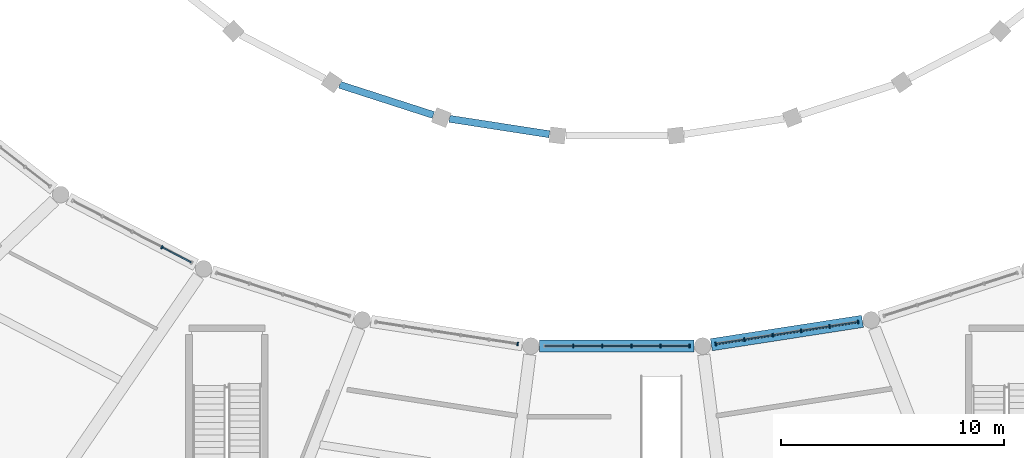
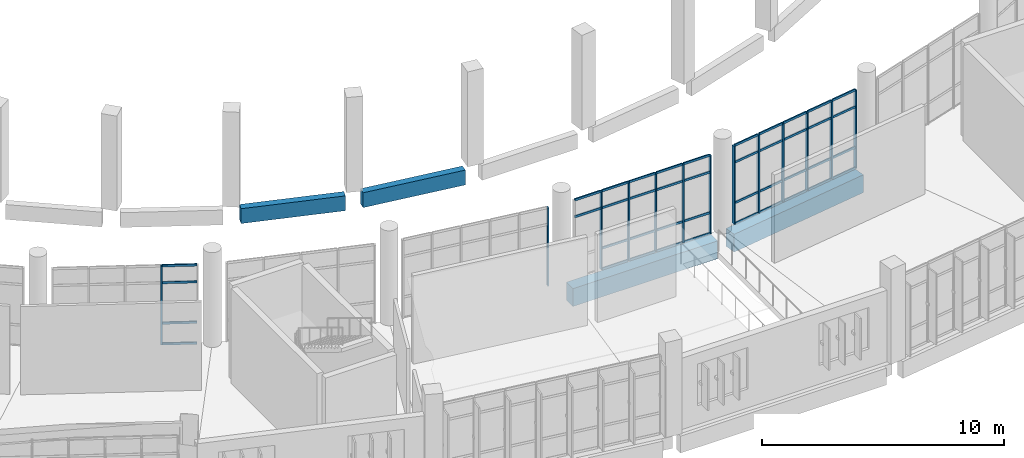
# One storey, part 15 of 179: 55 members, 4 beams, 4 elements without a shape of their own.
"""IFC4 building model written with IfcOpenShell, lengths in metres."""

import ifcopenshell
import ifcopenshell.guid

model = None  # the IFC model being written
_history = None  # IfcOwnerHistory: only IFC2X3 demands one
_inside = {}  # id of a spatial element -> (the spatial element, [elements in it])
_under = {}  # id of a project, library or spatial element -> (it, [spatial elements below it])
_declared = {}  # id of a project -> (the project, [libraries it declares])
_typed = {}  # id of a type object -> (the type object, [elements of that type])
_made_of = {}  # id of a material, layer set ... -> (it, [elements and type objects made of it])


def new_model(schema):
    """Start an empty IFC model of exactly this schema.

    Asked for "IFC4X3", IfcOpenShell would pick the latest addendum, in which some entities
    have other attributes; the version numbers below select the first issue.
    IFC2X3 requires an IfcOwnerHistory on every rooted entity: one is made here for all.
    """
    global model, _history
    if schema == "IFC4X3":
        model = ifcopenshell.file(schema_version=(4, 3, 0, 0))
    else:
        model = ifcopenshell.file(schema=schema)
    _inside.clear()
    _under.clear()
    _declared.clear()
    _typed.clear()
    _made_of.clear()
    _history = None
    if model.schema == "IFC2X3":
        org = make("IfcOrganization", Name="unknown")
        user = make(
            "IfcPersonAndOrganization",
            ThePerson=make("IfcPerson", FamilyName="unknown"),
            TheOrganization=org,
        )
        app = make(
            "IfcApplication",
            ApplicationDeveloper=org,
            Version="unknown",
            ApplicationFullName="unknown",
            ApplicationIdentifier="unknown",
        )
        _history = make(
            "IfcOwnerHistory",
            OwningUser=user,
            OwningApplication=app,
            ChangeAction="ADDED",
            CreationDate=0,
        )
    return model


def make(cls, **values):
    """One entity of the class cls with the attributes given. An attribute that is None is left unset."""
    return model.create_entity(
        cls, **{name: value for name, value in values.items() if value is not None}
    )


def rooted(cls, **values):
    """An entity with a GlobalId (a new one), such as an element, a storey or a relation."""
    return make(cls, GlobalId=ifcopenshell.guid.new(), OwnerHistory=_history, **values)


def si_unit(unit_type, name, prefix=None):
    """IfcSIUnit, for example si_unit("LENGTHUNIT", "METRE", prefix="MILLI")."""
    return make("IfcSIUnit", UnitType=unit_type, Prefix=prefix, Name=name)


def assignment(units):
    """IfcUnitAssignment: the units of a project."""
    return None if units is None else make("IfcUnitAssignment", Units=units)


def point(xyz):
    """IfcCartesianPoint."""
    return None if xyz is None else make("IfcCartesianPoint", Coordinates=xyz)


def direction(xyz):
    """IfcDirection."""
    return None if xyz is None else make("IfcDirection", DirectionRatios=xyz)


def frame(location, z_axis=None, x_axis=None):
    """IfcAxis2Placement3D, a coordinate frame: its origin and axes. An axis left out is left unset."""
    return make(
        "IfcAxis2Placement3D",
        Location=point(location),
        Axis=direction(z_axis),
        RefDirection=direction(x_axis),
    )


def frame_2d(location, x_axis=None):
    """IfcAxis2Placement2D, a coordinate frame in the plane: its origin and x axis."""
    return make(
        "IfcAxis2Placement2D", Location=point(location), RefDirection=direction(x_axis)
    )


def origin():
    """The frame at (0, 0, 0) with its axes left unset."""
    return frame((0.0, 0.0, 0.0))


def origin_2d():
    """The frame at (0, 0) in the plane with its x axis left unset."""
    return frame_2d((0.0, 0.0))


def place(relative_to, where):
    """IfcLocalPlacement: puts the frame where relative to a parent placement (None: the world)."""
    return make(
        "IfcLocalPlacement", PlacementRelTo=relative_to, RelativePlacement=where
    )


def context(
    kind, dimensions, precision=None, world=None, true_north=None, identifier=None
):
    """IfcGeometricRepresentationContext, for example the 3D "Model" context."""
    return make(
        "IfcGeometricRepresentationContext",
        ContextIdentifier=identifier,
        ContextType=kind,
        CoordinateSpaceDimension=dimensions,
        Precision=precision,
        WorldCoordinateSystem=world,
        TrueNorth=true_north,
    )


def subcontext(parent, identifier, kind, view, scale=None):
    """IfcGeometricRepresentationSubContext, for example "Body" below "Model"."""
    return make(
        "IfcGeometricRepresentationSubContext",
        ContextIdentifier=identifier,
        ContextType=kind,
        ParentContext=parent,
        TargetScale=scale,
        TargetView=view,
    )


def project(units=None, contexts=None):
    """IfcProject with its units and contexts."""
    return rooted(
        "IfcProject",
        Name="project",
        RepresentationContexts=contexts,
        UnitsInContext=assignment(units),
    )


def spatial(cls, under=None, at=None, **own):
    """A site, building, storey or space (cls), placed at a placement, below another one or the project."""
    s = rooted(cls, ObjectPlacement=at, **own)
    if under is not None:
        _under.setdefault(under.id(), (under, []))[1].append(s)
    return s


def profile(cls, at=None, kind="AREA", **sizes):
    """A parametric profile (cls). Its sizes go by their IFC names, for example OverallWidth=200.0."""
    return make(cls, ProfileType=kind, Position=at, **sizes)


def rectangle(**sizes):
    """IfcRectangleProfileDef."""
    return profile("IfcRectangleProfileDef", **sizes)


def extrude(swept, where, along, depth):
    """IfcExtrudedAreaSolid: the profile swept, set in the frame where, extruded along a direction by depth."""
    return make(
        "IfcExtrudedAreaSolid",
        SweptArea=swept,
        Position=where,
        ExtrudedDirection=direction(along),
        Depth=depth,
    )


def shape(context_of_items, identifier, shape_type, items):
    """IfcShapeRepresentation: the items that make up one representation, for example the "Body"."""
    return make(
        "IfcShapeRepresentation",
        ContextOfItems=context_of_items,
        RepresentationIdentifier=identifier,
        RepresentationType=shape_type,
        Items=items,
    )


def material(Name=None, Category=None):
    """IfcMaterial."""
    return make("IfcMaterial", Name=Name, Category=Category)


def layer(
    of_material, thickness, ventilated=None, Name=None, Category=None, Priority=None
):
    """IfcMaterialLayer: one layer of a wall or slab, of a material (None: an air gap)."""
    return make(
        "IfcMaterialLayer",
        Material=of_material,
        LayerThickness=thickness,
        IsVentilated=ventilated,
        Name=Name,
        Category=Category,
        Priority=Priority,
    )


def layer_set(layers, Name=None):
    """IfcMaterialLayerSet."""
    return make("IfcMaterialLayerSet", MaterialLayers=layers, LayerSetName=Name)


def material_profile(
    of_material, cross_section, Name=None, Category=None, Priority=None
):
    """IfcMaterialProfile: a cross section and its material."""
    return make(
        "IfcMaterialProfile",
        Name=Name,
        Material=of_material,
        Profile=cross_section,
        Priority=Priority,
        Category=Category,
    )


def profile_set(profiles, Name=None, composite=None):
    """IfcMaterialProfileSet."""
    return make(
        "IfcMaterialProfileSet",
        Name=Name,
        MaterialProfiles=profiles,
        CompositeProfile=composite,
    )


def made_of(thing, what):
    """Note that an element or type object is made of a material, layer set ...; save() writes the relation."""
    if what is not None:
        _made_of.setdefault(what.id(), (what, []))[1].append(thing)
    return thing


def type_object(cls, material=None, **own):
    """A type object (cls), such as IfcWallType, which elements share."""
    return made_of(rooted(cls, **own), material)


def element(
    cls,
    number,
    at=None,
    inside=None,
    cuts=None,
    type_object=None,
    material=None,
    context=None,
    identifier="Body",
    shape_type=None,
    held_by="IfcProductDefinitionShape",
    body=None,
    shapes=None,
    **own,
):
    """One element of the class cls, such as IfcWall. Its Tag is "e" and its number.

    at: its placement. inside: the storey or other place that contains it. cuts: it is an
    opening in that element (IfcRelVoidsElement). A single representation is given by context,
    identifier, shape_type and body (its items); several are given by shapes. held_by: the class
    of the entity that holds the representations. save() writes the other relations.
    """
    e = rooted(cls, Tag="e%d" % number, ObjectPlacement=at, **own)
    if body is not None:
        shapes = [shape(context, identifier, shape_type, body)]
    if shapes is not None:
        e.Representation = make(held_by, Representations=shapes)
    if inside is not None:
        _inside.setdefault(inside.id(), (inside, []))[1].append(e)
    if cuts is not None:
        rooted(
            "IfcRelVoidsElement", RelatingBuildingElement=cuts, RelatedOpeningElement=e
        )
    if type_object is not None:
        _typed.setdefault(type_object.id(), (type_object, []))[1].append(e)
    return made_of(e, material)


def aggregate(whole, parts):
    """IfcRelAggregates: a whole, such as a stair, and the parts it consists of."""
    return rooted("IfcRelAggregates", RelatingObject=whole, RelatedObjects=parts)


def save(model, path):
    """Write the relations noted so far, then the file.

    IfcRelAggregates (storeys below a building ...), IfcRelContainedInSpatialStructure (elements
    in a storey), IfcRelDefinesByType, IfcRelAssociatesMaterial and IfcRelDeclares: one each for
    every whole, place, type object, material and project.
    """
    for whole, parts in _under.values():
        aggregate(whole, parts)
    for where, things in _inside.values():
        rooted(
            "IfcRelContainedInSpatialStructure",
            RelatedElements=things,
            RelatingStructure=where,
        )
    for kind, things in _typed.values():
        rooted("IfcRelDefinesByType", RelatedObjects=things, RelatingType=kind)
    for what, things in _made_of.values():
        rooted("IfcRelAssociatesMaterial", RelatedObjects=things, RelatingMaterial=what)
    for by, libraries in _declared.values():
        rooted("IfcRelDeclares", RelatingContext=by, RelatedDefinitions=libraries)
    model.write(path)


model = new_model("IFC4")

# Units and contexts
model_context = context("Model", 3, precision=1e-05, world=origin(), true_north=direction((0.0, 1.0)))
body_context = subcontext(model_context, "Body", "Model", "MODEL_VIEW")
ifc_project = project(units=[si_unit("LENGTHUNIT", "METRE"), si_unit("AREAUNIT", "SQUARE_METRE"), si_unit("VOLUMEUNIT", "CUBIC_METRE"), si_unit("PLANEANGLEUNIT", "RADIAN"), si_unit("MASSUNIT", "GRAM", prefix="KILO")], contexts=[model_context])

# Site, building, storey
site_placement = place(None, origin())
site = spatial("IfcSite", under=ifc_project, at=site_placement, CompositionType="ELEMENT")
building_placement = place(site_placement, origin())
building = spatial("IfcBuilding", under=site, at=building_placement, Name="Corvandel Quay Wholesale Market", CompositionType="ELEMENT")
storey_placement = place(building_placement, frame((0.0, 0.0, 6.0)))
storey = spatial("IfcBuildingStorey", under=building, at=storey_placement, Name="L01", CompositionType="ELEMENT", Elevation=6.0)

# Curtain wall, member
ifc_material_1 = material(Name="Bronze anodised aluminium and low-E insulated glazing", Category="aluminium")
ifc_layer_1 = layer(ifc_material_1, 0.162109375)
ifc_layer_set_1 = layer_set([ifc_layer_1], Name="Bronze anodised aluminium and low-E insulated glazing")
curtain_wall_type_1 = type_object("IfcCurtainWallType", Name="Stick Curtain Wall System CW11 H3990", PredefinedType="NOTDEFINED", material=ifc_layer_set_1)
curtain_wall_1_placement = place(storey_placement, origin())
curtain_wall_1 = element("IfcCurtainWall", 1, at=curtain_wall_1_placement, inside=storey, type_object=curtain_wall_type_1, Name="Curtain Wall CW-0061", PredefinedType="NOTDEFINED")
ifc_material_2 = material(Name="Anodised aluminium 6063-T6", Category="aluminium")
ifc_material_profile_1 = material_profile(ifc_material_2, rectangle(XDim=0.06494140625, YDim=0.14990234375, at=origin_2d()), Name="ALU-MUL-65x150")
ifc_profile_set_1 = profile_set([ifc_material_profile_1], Name="Anodised aluminium 6063-T6")
member_type_1 = type_object("IfcMemberType", Name="Curtain Wall Mullion ML02 65x150", PredefinedType="MULLION", material=ifc_profile_set_1)
member_1_placement = place(storey_placement, frame((93.58642578125, 15.9873046875, 0.0), z_axis=(0.0, 0.0, 1.0), x_axis=(-0.887332978338, 0.461129250378, 0.0)))
member_1 = element("IfcMember", 2, at=member_1_placement, type_object=member_type_1, Name="Mullion CW-0061-M03", PredefinedType="MULLION", context=body_context, shape_type="SweptSolid", body=[
    extrude(rectangle(XDim=0.06494140625, YDim=0.14990234375, at=origin_2d()), origin(), (0.0, 0.0, 1.0), 3.949951171875),
])

ifc_layer_2 = layer(ifc_material_1, 0.18603515625)
ifc_layer_set_2 = layer_set([ifc_layer_2], Name="Bronze anodised aluminium and low-E insulated glazing")
curtain_wall_type_2 = type_object("IfcCurtainWallType", Name="Stick Curtain Wall System CW13 H4170", PredefinedType="NOTDEFINED", material=ifc_layer_set_2)
curtain_wall_2_placement = place(storey_placement, origin())
curtain_wall_2 = element("IfcCurtainWall", 3, at=curtain_wall_2_placement, inside=storey, type_object=curtain_wall_type_2, Name="Curtain Wall CW-0067", PredefinedType="NOTDEFINED")
member_2_placement = place(storey_placement, frame((109.551025390625, 11.6416015625, 0.0), z_axis=(0.0, 0.0, 1.0), x_axis=(-0.98825506746, 0.152813355565, 0.0)))
member_2 = element("IfcMember", 4, at=member_2_placement, type_object=member_type_1, Name="Mullion CW-0067-M05", PredefinedType="MULLION", context=body_context, shape_type="SweptSolid", body=[
    extrude(rectangle(XDim=0.06494140625, YDim=0.14990234375, at=origin_2d()), origin(), (0.0, 0.0, 1.0), 3.949951171875),
])
aggregate(curtain_wall_2, [member_2])

# Curtain wall, members
ifc_layer_3 = layer(ifc_material_1, 0.197998046875)
ifc_layer_set_3 = layer_set([ifc_layer_3], Name="Bronze anodised aluminium and low-E insulated glazing")
curtain_wall_type_3 = type_object("IfcCurtainWallType", Name="Stick Curtain Wall System CW14 H4260", PredefinedType="NOTDEFINED", material=ifc_layer_set_3)
curtain_wall_3_placement = place(storey_placement, origin())
curtain_wall_3 = element("IfcCurtainWall", 5, at=curtain_wall_3_placement, inside=storey, type_object=curtain_wall_type_3, Name="Curtain Wall CW-0069", PredefinedType="NOTDEFINED")
member_3_placement = place(storey_placement, frame((112.04638671875, 11.550048828125, 0.0), z_axis=(0.0, 0.0, 1.0), x_axis=(1.0, 0.0, 0.0)))
member_3 = element("IfcMember", 6, at=member_3_placement, type_object=member_type_1, Name="Mullion CW-0069-M01", PredefinedType="MULLION", context=body_context, shape_type="SweptSolid", body=[
    extrude(rectangle(XDim=0.06494140625, YDim=0.14990234375, at=origin_2d()), origin(), (0.0, 0.0, 1.0), 3.949951171875),
])
member_4_placement = place(storey_placement, frame((113.348876953125, 11.550048828125, 0.0), z_axis=(0.0, 0.0, 1.0), x_axis=(1.0, 0.0, 0.0)))
member_4 = element("IfcMember", 7, at=member_4_placement, type_object=member_type_1, Name="Mullion CW-0069-M02", PredefinedType="MULLION", context=body_context, shape_type="SweptSolid", body=[
    extrude(rectangle(XDim=0.06494140625, YDim=0.14990234375, at=origin_2d()), origin(), (0.0, 0.0, 1.0), 3.949951171875),
])
member_5_placement = place(storey_placement, frame((114.651123046875, 11.550048828125, 0.0), z_axis=(0.0, 0.0, 1.0), x_axis=(1.0, 0.0, 0.0)))
member_5 = element("IfcMember", 8, at=member_5_placement, type_object=member_type_1, Name="Mullion CW-0069-M03", PredefinedType="MULLION", context=body_context, shape_type="SweptSolid", body=[
    extrude(rectangle(XDim=0.06494140625, YDim=0.14990234375, at=origin_2d()), origin(), (0.0, 0.0, 1.0), 3.949951171875),
])
member_6_placement = place(storey_placement, frame((115.95361328125, 11.550048828125, 0.0), z_axis=(0.0, 0.0, 1.0), x_axis=(1.0, 0.0, 0.0)))
member_6 = element("IfcMember", 9, at=member_6_placement, type_object=member_type_1, Name="Mullion CW-0069-M04", PredefinedType="MULLION", context=body_context, shape_type="SweptSolid", body=[
    extrude(rectangle(XDim=0.06494140625, YDim=0.14990234375, at=origin_2d()), origin(), (0.0, 0.0, 1.0), 3.949951171875),
])
member_7_placement = place(storey_placement, frame((117.256103515625, 11.550048828125, 0.0), z_axis=(0.0, 0.0, 1.0), x_axis=(1.0, 0.0, 0.0)))
member_7 = element("IfcMember", 10, at=member_7_placement, type_object=member_type_1, Name="Mullion CW-0069-M05", PredefinedType="MULLION", context=body_context, shape_type="SweptSolid", body=[
    extrude(rectangle(XDim=0.06494140625, YDim=0.14990234375, at=origin_2d()), origin(), (0.0, 0.0, 1.0), 3.949951171875),
])

ifc_layer_4 = layer(ifc_material_1, 0.14990234375)
ifc_layer_set_4 = layer_set([ifc_layer_4], Name="Bronze anodised aluminium and low-E insulated glazing")
curtain_wall_type_4 = type_object("IfcCurtainWallType", Name="Stick Curtain Wall System CW15 H4350", PredefinedType="NOTDEFINED", material=ifc_layer_set_4)
curtain_wall_4_placement = place(storey_placement, origin())
curtain_wall_4 = element("IfcCurtainWall", 11, at=curtain_wall_4_placement, inside=storey, type_object=curtain_wall_type_4, Name="Curtain Wall CW-0073", PredefinedType="NOTDEFINED")
member_8_placement = place(storey_placement, frame((118.448974609375, 11.6416015625, 0.0), z_axis=(0.0, 0.0, 1.0), x_axis=(0.98825506746, 0.152813355565, 0.0)))
member_8 = element("IfcMember", 12, at=member_8_placement, type_object=member_type_1, Name="Mullion CW-0073-M00", PredefinedType="MULLION", context=body_context, shape_type="SweptSolid", body=[
    extrude(rectangle(XDim=0.06494140625, YDim=0.14990234375, at=origin_2d()), origin(), (0.0, 0.0, 1.0), 3.949951171875),
])
member_9_placement = place(storey_placement, frame((119.724609375, 11.839111328125, 0.0), z_axis=(0.0, 0.0, 1.0), x_axis=(0.98825506746, 0.152813355565, 0.0)))
member_9 = element("IfcMember", 13, at=member_9_placement, type_object=member_type_1, Name="Mullion CW-0073-M01", PredefinedType="MULLION", context=body_context, shape_type="SweptSolid", body=[
    extrude(rectangle(XDim=0.06494140625, YDim=0.14990234375, at=origin_2d()), origin(), (0.0, 0.0, 1.0), 3.949951171875),
])
member_10_placement = place(storey_placement, frame((121.000244140625, 12.036376953125, 0.0), z_axis=(0.0, 0.0, 1.0), x_axis=(0.98825506746, 0.152813355565, 0.0)))
member_10 = element("IfcMember", 14, at=member_10_placement, type_object=member_type_1, Name="Mullion CW-0073-M02", PredefinedType="MULLION", context=body_context, shape_type="SweptSolid", body=[
    extrude(rectangle(XDim=0.06494140625, YDim=0.14990234375, at=origin_2d()), origin(), (0.0, 0.0, 1.0), 3.949951171875),
])
member_11_placement = place(storey_placement, frame((122.27587890625, 12.233642578125, 0.0), z_axis=(0.0, 0.0, 1.0), x_axis=(0.98825506746, 0.152813355565, 0.0)))
member_11 = element("IfcMember", 15, at=member_11_placement, type_object=member_type_1, Name="Mullion CW-0073-M03", PredefinedType="MULLION", context=body_context, shape_type="SweptSolid", body=[
    extrude(rectangle(XDim=0.06494140625, YDim=0.14990234375, at=origin_2d()), origin(), (0.0, 0.0, 1.0), 3.949951171875),
])
member_12_placement = place(storey_placement, frame((123.551513671875, 12.430908203125, 0.0), z_axis=(0.0, 0.0, 1.0), x_axis=(0.98825506746, 0.152813355565, 0.0)))
member_12 = element("IfcMember", 16, at=member_12_placement, type_object=member_type_1, Name="Mullion CW-0073-M04", PredefinedType="MULLION", context=body_context, shape_type="SweptSolid", body=[
    extrude(rectangle(XDim=0.06494140625, YDim=0.14990234375, at=origin_2d()), origin(), (0.0, 0.0, 1.0), 3.949951171875),
])
member_13_placement = place(storey_placement, frame((124.826904296875, 12.62841796875, 0.0), z_axis=(0.0, 0.0, 1.0), x_axis=(0.98825506746, 0.152813355565, 0.0)))
member_13 = element("IfcMember", 17, at=member_13_placement, type_object=member_type_1, Name="Mullion CW-0073-M05", PredefinedType="MULLION", context=body_context, shape_type="SweptSolid", body=[
    extrude(rectangle(XDim=0.06494140625, YDim=0.14990234375, at=origin_2d()), origin(), (0.0, 0.0, 1.0), 3.949951171875),
])

# Member
ifc_material_profile_2 = material_profile(ifc_material_2, rectangle(XDim=0.06005859375, YDim=0.110107421875, at=origin_2d()), Name="ALU-TRN-60x110")
ifc_profile_set_2 = profile_set([ifc_material_profile_2], Name="Anodised aluminium 6063-T6")
member_type_2 = type_object("IfcMemberType", Name="Curtain Wall Transom TR02 60x110", PredefinedType="USERDEFINED", material=ifc_profile_set_2)
member_14_placement = place(storey_placement, frame((93.615478515625, 15.972412109375, 0.0), z_axis=(0.887341534399, -0.46111278591, 0.0), x_axis=(0.46111278591, 0.887341534399, 0.0)))
member_14 = element("IfcMember", 18, at=member_14_placement, type_object=member_type_2, Name="Transom CW-0061-T03-0", ObjectType="TRANSOM", PredefinedType="USERDEFINED", context=body_context, shape_type="SweptSolid", body=[
    extrude(rectangle(XDim=0.06005859375, YDim=0.110107421875, at=origin_2d()), origin(), (0.0, 0.0, 1.0), 1.441650390625),
])

member_15_placement = place(storey_placement, frame((93.615478515625, 15.972412109375, 1.050048828125), z_axis=(0.887341534399, -0.46111278591, 0.0), x_axis=(0.46111278591, 0.887341534399, 0.0)))
member_15 = element("IfcMember", 19, at=member_15_placement, type_object=member_type_2, Name="Transom CW-0061-T03-1", ObjectType="TRANSOM", PredefinedType="USERDEFINED", context=body_context, shape_type="SweptSolid", body=[
    extrude(rectangle(XDim=0.06005859375, YDim=0.110107421875, at=origin_2d()), origin(), (0.0, 0.0, 1.0), 1.441650390625),
])

member_16_placement = place(storey_placement, frame((93.615478515625, 15.972412109375, 3.10009765625), z_axis=(0.887341534399, -0.46111278591, 0.0), x_axis=(0.46111278591, 0.887341534399, 0.0)))
member_16 = element("IfcMember", 20, at=member_16_placement, type_object=member_type_2, Name="Transom CW-0061-T03-2", ObjectType="TRANSOM", PredefinedType="USERDEFINED", context=body_context, shape_type="SweptSolid", body=[
    extrude(rectangle(XDim=0.06005859375, YDim=0.110107421875, at=origin_2d()), origin(), (0.0, 0.0, 1.0), 1.441650390625),
])

member_17_placement = place(storey_placement, frame((93.615478515625, 15.972412109375, 3.949951171875), z_axis=(0.887341534399, -0.46111278591, 0.0), x_axis=(0.46111278591, 0.887341534399, 0.0)))
member_17 = element("IfcMember", 21, at=member_17_placement, type_object=member_type_2, Name="Transom CW-0061-T03-3", ObjectType="TRANSOM", PredefinedType="USERDEFINED", context=body_context, shape_type="SweptSolid", body=[
    extrude(rectangle(XDim=0.06005859375, YDim=0.110107421875, at=origin_2d()), origin(), (0.0, 0.0, 1.0), 1.441650390625),
])

aggregate(curtain_wall_1, [member_1, member_14, member_15, member_16, member_17])

member_18_placement = place(storey_placement, frame((110.776611328125, 11.550048828125, 3.10009765625), z_axis=(1.0, 0.0, 0.0), x_axis=(0.0, 1.0, 0.0)))
member_18 = element("IfcMember", 22, at=member_18_placement, type_object=member_type_2, Name="Transom CW-0069-T00-2", ObjectType="TRANSOM", PredefinedType="USERDEFINED", context=body_context, shape_type="SweptSolid", body=[
    extrude(rectangle(XDim=0.06005859375, YDim=0.110107421875, at=origin_2d()), origin(), (0.0, 0.0, 1.0), 1.2373046875),
])

member_19_placement = place(storey_placement, frame((110.776611328125, 11.550048828125, 3.949951171875), z_axis=(1.0, 0.0, 0.0), x_axis=(0.0, 1.0, 0.0)))
member_19 = element("IfcMember", 23, at=member_19_placement, type_object=member_type_2, Name="Transom CW-0069-T00-3", ObjectType="TRANSOM", PredefinedType="USERDEFINED", context=body_context, shape_type="SweptSolid", body=[
    extrude(rectangle(XDim=0.06005859375, YDim=0.110107421875, at=origin_2d()), origin(), (0.0, 0.0, 1.0), 1.2373046875),
])

member_20_placement = place(storey_placement, frame((112.078857421875, 11.550048828125, 0.0), z_axis=(1.0, 0.0, 0.0), x_axis=(0.0, 1.0, 0.0)))
member_20 = element("IfcMember", 24, at=member_20_placement, type_object=member_type_2, Name="Transom CW-0069-T01-0", ObjectType="TRANSOM", PredefinedType="USERDEFINED", context=body_context, shape_type="SweptSolid", body=[
    extrude(rectangle(XDim=0.06005859375, YDim=0.110107421875, at=origin_2d()), origin(), (0.0, 0.0, 1.0), 1.237548828125),
])

member_21_placement = place(storey_placement, frame((112.078857421875, 11.550048828125, 1.050048828125), z_axis=(1.0, 0.0, 0.0), x_axis=(0.0, 1.0, 0.0)))
member_21 = element("IfcMember", 25, at=member_21_placement, type_object=member_type_2, Name="Transom CW-0069-T01-1", ObjectType="TRANSOM", PredefinedType="USERDEFINED", context=body_context, shape_type="SweptSolid", body=[
    extrude(rectangle(XDim=0.06005859375, YDim=0.110107421875, at=origin_2d()), origin(), (0.0, 0.0, 1.0), 1.237548828125),
])

member_22_placement = place(storey_placement, frame((112.078857421875, 11.550048828125, 3.10009765625), z_axis=(1.0, 0.0, 0.0), x_axis=(0.0, 1.0, 0.0)))
member_22 = element("IfcMember", 26, at=member_22_placement, type_object=member_type_2, Name="Transom CW-0069-T01-2", ObjectType="TRANSOM", PredefinedType="USERDEFINED", context=body_context, shape_type="SweptSolid", body=[
    extrude(rectangle(XDim=0.06005859375, YDim=0.110107421875, at=origin_2d()), origin(), (0.0, 0.0, 1.0), 1.237548828125),
])

member_23_placement = place(storey_placement, frame((112.078857421875, 11.550048828125, 3.949951171875), z_axis=(1.0, 0.0, 0.0), x_axis=(0.0, 1.0, 0.0)))
member_23 = element("IfcMember", 27, at=member_23_placement, type_object=member_type_2, Name="Transom CW-0069-T01-3", ObjectType="TRANSOM", PredefinedType="USERDEFINED", context=body_context, shape_type="SweptSolid", body=[
    extrude(rectangle(XDim=0.06005859375, YDim=0.110107421875, at=origin_2d()), origin(), (0.0, 0.0, 1.0), 1.237548828125),
])

member_24_placement = place(storey_placement, frame((113.38134765625, 11.550048828125, 0.0), z_axis=(1.0, 0.0, 0.0), x_axis=(0.0, 1.0, 0.0)))
member_24 = element("IfcMember", 28, at=member_24_placement, type_object=member_type_2, Name="Transom CW-0069-T02-0", ObjectType="TRANSOM", PredefinedType="USERDEFINED", context=body_context, shape_type="SweptSolid", body=[
    extrude(rectangle(XDim=0.06005859375, YDim=0.110107421875, at=origin_2d()), origin(), (0.0, 0.0, 1.0), 1.2373046875),
])

member_25_placement = place(storey_placement, frame((113.38134765625, 11.550048828125, 1.050048828125), z_axis=(1.0, 0.0, 0.0), x_axis=(0.0, 1.0, 0.0)))
member_25 = element("IfcMember", 29, at=member_25_placement, type_object=member_type_2, Name="Transom CW-0069-T02-1", ObjectType="TRANSOM", PredefinedType="USERDEFINED", context=body_context, shape_type="SweptSolid", body=[
    extrude(rectangle(XDim=0.06005859375, YDim=0.110107421875, at=origin_2d()), origin(), (0.0, 0.0, 1.0), 1.2373046875),
])

member_26_placement = place(storey_placement, frame((113.38134765625, 11.550048828125, 3.10009765625), z_axis=(1.0, 0.0, 0.0), x_axis=(0.0, 1.0, 0.0)))
member_26 = element("IfcMember", 30, at=member_26_placement, type_object=member_type_2, Name="Transom CW-0069-T02-2", ObjectType="TRANSOM", PredefinedType="USERDEFINED", context=body_context, shape_type="SweptSolid", body=[
    extrude(rectangle(XDim=0.06005859375, YDim=0.110107421875, at=origin_2d()), origin(), (0.0, 0.0, 1.0), 1.2373046875),
])

member_27_placement = place(storey_placement, frame((113.38134765625, 11.550048828125, 3.949951171875), z_axis=(1.0, 0.0, 0.0), x_axis=(0.0, 1.0, 0.0)))
member_27 = element("IfcMember", 31, at=member_27_placement, type_object=member_type_2, Name="Transom CW-0069-T02-3", ObjectType="TRANSOM", PredefinedType="USERDEFINED", context=body_context, shape_type="SweptSolid", body=[
    extrude(rectangle(XDim=0.06005859375, YDim=0.110107421875, at=origin_2d()), origin(), (0.0, 0.0, 1.0), 1.2373046875),
])

member_28_placement = place(storey_placement, frame((114.68359375, 11.550048828125, 0.0), z_axis=(1.0, 0.0, 0.0), x_axis=(0.0, 1.0, 0.0)))
member_28 = element("IfcMember", 32, at=member_28_placement, type_object=member_type_2, Name="Transom CW-0069-T03-0", ObjectType="TRANSOM", PredefinedType="USERDEFINED", context=body_context, shape_type="SweptSolid", body=[
    extrude(rectangle(XDim=0.06005859375, YDim=0.110107421875, at=origin_2d()), origin(), (0.0, 0.0, 1.0), 1.237548828125),
])

member_29_placement = place(storey_placement, frame((114.68359375, 11.550048828125, 1.050048828125), z_axis=(1.0, 0.0, 0.0), x_axis=(0.0, 1.0, 0.0)))
member_29 = element("IfcMember", 33, at=member_29_placement, type_object=member_type_2, Name="Transom CW-0069-T03-1", ObjectType="TRANSOM", PredefinedType="USERDEFINED", context=body_context, shape_type="SweptSolid", body=[
    extrude(rectangle(XDim=0.06005859375, YDim=0.110107421875, at=origin_2d()), origin(), (0.0, 0.0, 1.0), 1.237548828125),
])

member_30_placement = place(storey_placement, frame((114.68359375, 11.550048828125, 3.10009765625), z_axis=(1.0, 0.0, 0.0), x_axis=(0.0, 1.0, 0.0)))
member_30 = element("IfcMember", 34, at=member_30_placement, type_object=member_type_2, Name="Transom CW-0069-T03-2", ObjectType="TRANSOM", PredefinedType="USERDEFINED", context=body_context, shape_type="SweptSolid", body=[
    extrude(rectangle(XDim=0.06005859375, YDim=0.110107421875, at=origin_2d()), origin(), (0.0, 0.0, 1.0), 1.237548828125),
])

member_31_placement = place(storey_placement, frame((114.68359375, 11.550048828125, 3.949951171875), z_axis=(1.0, 0.0, 0.0), x_axis=(0.0, 1.0, 0.0)))
member_31 = element("IfcMember", 35, at=member_31_placement, type_object=member_type_2, Name="Transom CW-0069-T03-3", ObjectType="TRANSOM", PredefinedType="USERDEFINED", context=body_context, shape_type="SweptSolid", body=[
    extrude(rectangle(XDim=0.06005859375, YDim=0.110107421875, at=origin_2d()), origin(), (0.0, 0.0, 1.0), 1.237548828125),
])

member_32_placement = place(storey_placement, frame((115.986083984375, 11.550048828125, 0.0), z_axis=(1.0, 0.0, 0.0), x_axis=(0.0, 1.0, 0.0)))
member_32 = element("IfcMember", 36, at=member_32_placement, type_object=member_type_2, Name="Transom CW-0069-T04-0", ObjectType="TRANSOM", PredefinedType="USERDEFINED", context=body_context, shape_type="SweptSolid", body=[
    extrude(rectangle(XDim=0.06005859375, YDim=0.110107421875, at=origin_2d()), origin(), (0.0, 0.0, 1.0), 1.2373046875),
])

member_33_placement = place(storey_placement, frame((115.986083984375, 11.550048828125, 1.050048828125), z_axis=(1.0, 0.0, 0.0), x_axis=(0.0, 1.0, 0.0)))
member_33 = element("IfcMember", 37, at=member_33_placement, type_object=member_type_2, Name="Transom CW-0069-T04-1", ObjectType="TRANSOM", PredefinedType="USERDEFINED", context=body_context, shape_type="SweptSolid", body=[
    extrude(rectangle(XDim=0.06005859375, YDim=0.110107421875, at=origin_2d()), origin(), (0.0, 0.0, 1.0), 1.2373046875),
])

member_34_placement = place(storey_placement, frame((115.986083984375, 11.550048828125, 3.10009765625), z_axis=(1.0, 0.0, 0.0), x_axis=(0.0, 1.0, 0.0)))
member_34 = element("IfcMember", 38, at=member_34_placement, type_object=member_type_2, Name="Transom CW-0069-T04-2", ObjectType="TRANSOM", PredefinedType="USERDEFINED", context=body_context, shape_type="SweptSolid", body=[
    extrude(rectangle(XDim=0.06005859375, YDim=0.110107421875, at=origin_2d()), origin(), (0.0, 0.0, 1.0), 1.2373046875),
])

member_35_placement = place(storey_placement, frame((115.986083984375, 11.550048828125, 3.949951171875), z_axis=(1.0, 0.0, 0.0), x_axis=(0.0, 1.0, 0.0)))
member_35 = element("IfcMember", 39, at=member_35_placement, type_object=member_type_2, Name="Transom CW-0069-T04-3", ObjectType="TRANSOM", PredefinedType="USERDEFINED", context=body_context, shape_type="SweptSolid", body=[
    extrude(rectangle(XDim=0.06005859375, YDim=0.110107421875, at=origin_2d()), origin(), (0.0, 0.0, 1.0), 1.2373046875),
])

aggregate(curtain_wall_3, [member_3, member_4, member_5, member_6, member_7, member_18, member_19, member_20, member_21, member_22, member_23, member_24, member_25, member_26, member_27, member_28, member_29, member_30, member_31, member_32, member_33, member_34, member_35])

member_36_placement = place(storey_placement, frame((118.481201171875, 11.646728515625, 0.0), z_axis=(0.988258580736, 0.152790633224, 0.0), x_axis=(-0.152790633224, 0.988258580736, 0.0)))
member_36 = element("IfcMember", 40, at=member_36_placement, type_object=member_type_2, Name="Transom CW-0073-T00-0", ObjectType="TRANSOM", PredefinedType="USERDEFINED", context=body_context, shape_type="SweptSolid", body=[
    extrude(rectangle(XDim=0.06005859375, YDim=0.110107421875, at=origin_2d()), origin(), (0.0, 0.0, 1.0), 1.2255859375),
])

member_37_placement = place(storey_placement, frame((118.481201171875, 11.646728515625, 1.050048828125), z_axis=(0.988258580736, 0.152790633224, 0.0), x_axis=(-0.152790633224, 0.988258580736, 0.0)))
member_37 = element("IfcMember", 41, at=member_37_placement, type_object=member_type_2, Name="Transom CW-0073-T00-1", ObjectType="TRANSOM", PredefinedType="USERDEFINED", context=body_context, shape_type="SweptSolid", body=[
    extrude(rectangle(XDim=0.06005859375, YDim=0.110107421875, at=origin_2d()), origin(), (0.0, 0.0, 1.0), 1.2255859375),
])

member_38_placement = place(storey_placement, frame((118.481201171875, 11.646728515625, 3.10009765625), z_axis=(0.988258580736, 0.152790633224, 0.0), x_axis=(-0.152790633224, 0.988258580736, 0.0)))
member_38 = element("IfcMember", 42, at=member_38_placement, type_object=member_type_2, Name="Transom CW-0073-T00-2", ObjectType="TRANSOM", PredefinedType="USERDEFINED", context=body_context, shape_type="SweptSolid", body=[
    extrude(rectangle(XDim=0.06005859375, YDim=0.110107421875, at=origin_2d()), origin(), (0.0, 0.0, 1.0), 1.2255859375),
])

member_39_placement = place(storey_placement, frame((118.481201171875, 11.646728515625, 3.949951171875), z_axis=(0.988258580736, 0.152790633224, 0.0), x_axis=(-0.152790633224, 0.988258580736, 0.0)))
member_39 = element("IfcMember", 43, at=member_39_placement, type_object=member_type_2, Name="Transom CW-0073-T00-3", ObjectType="TRANSOM", PredefinedType="USERDEFINED", context=body_context, shape_type="SweptSolid", body=[
    extrude(rectangle(XDim=0.06005859375, YDim=0.110107421875, at=origin_2d()), origin(), (0.0, 0.0, 1.0), 1.2255859375),
])

member_40_placement = place(storey_placement, frame((119.756591796875, 11.843994140625, 0.0), z_axis=(0.988233143916, 0.152955069433, 0.0), x_axis=(-0.152955069433, 0.988233143916, 0.0)))
member_40 = element("IfcMember", 44, at=member_40_placement, type_object=member_type_2, Name="Transom CW-0073-T01-0", ObjectType="TRANSOM", PredefinedType="USERDEFINED", context=body_context, shape_type="SweptSolid", body=[
    extrude(rectangle(XDim=0.06005859375, YDim=0.110107421875, at=origin_2d()), origin(), (0.0, 0.0, 1.0), 1.225830078125),
])

member_41_placement = place(storey_placement, frame((119.756591796875, 11.843994140625, 1.050048828125), z_axis=(0.988233143916, 0.152955069433, 0.0), x_axis=(-0.152955069433, 0.988233143916, 0.0)))
member_41 = element("IfcMember", 45, at=member_41_placement, type_object=member_type_2, Name="Transom CW-0073-T01-1", ObjectType="TRANSOM", PredefinedType="USERDEFINED", context=body_context, shape_type="SweptSolid", body=[
    extrude(rectangle(XDim=0.06005859375, YDim=0.110107421875, at=origin_2d()), origin(), (0.0, 0.0, 1.0), 1.225830078125),
])

member_42_placement = place(storey_placement, frame((119.756591796875, 11.843994140625, 3.10009765625), z_axis=(0.988233143916, 0.152955069433, 0.0), x_axis=(-0.152955069433, 0.988233143916, 0.0)))
member_42 = element("IfcMember", 46, at=member_42_placement, type_object=member_type_2, Name="Transom CW-0073-T01-2", ObjectType="TRANSOM", PredefinedType="USERDEFINED", context=body_context, shape_type="SweptSolid", body=[
    extrude(rectangle(XDim=0.06005859375, YDim=0.110107421875, at=origin_2d()), origin(), (0.0, 0.0, 1.0), 1.225830078125),
])

member_43_placement = place(storey_placement, frame((119.756591796875, 11.843994140625, 3.949951171875), z_axis=(0.988233143916, 0.152955069433, 0.0), x_axis=(-0.152955069433, 0.988233143916, 0.0)))
member_43 = element("IfcMember", 47, at=member_43_placement, type_object=member_type_2, Name="Transom CW-0073-T01-3", ObjectType="TRANSOM", PredefinedType="USERDEFINED", context=body_context, shape_type="SweptSolid", body=[
    extrude(rectangle(XDim=0.06005859375, YDim=0.110107421875, at=origin_2d()), origin(), (0.0, 0.0, 1.0), 1.225830078125),
])

member_44_placement = place(storey_placement, frame((121.0322265625, 12.041259765625, 0.0), z_axis=(0.988233143916, 0.152955069433, 0.0), x_axis=(-0.152955069433, 0.988233143916, 0.0)))
member_44 = element("IfcMember", 48, at=member_44_placement, type_object=member_type_2, Name="Transom CW-0073-T02-0", ObjectType="TRANSOM", PredefinedType="USERDEFINED", context=body_context, shape_type="SweptSolid", body=[
    extrude(rectangle(XDim=0.06005859375, YDim=0.110107421875, at=origin_2d()), origin(), (0.0, 0.0, 1.0), 1.225830078125),
])

member_45_placement = place(storey_placement, frame((121.0322265625, 12.041259765625, 1.050048828125), z_axis=(0.988233143916, 0.152955069433, 0.0), x_axis=(-0.152955069433, 0.988233143916, 0.0)))
member_45 = element("IfcMember", 49, at=member_45_placement, type_object=member_type_2, Name="Transom CW-0073-T02-1", ObjectType="TRANSOM", PredefinedType="USERDEFINED", context=body_context, shape_type="SweptSolid", body=[
    extrude(rectangle(XDim=0.06005859375, YDim=0.110107421875, at=origin_2d()), origin(), (0.0, 0.0, 1.0), 1.225830078125),
])

member_46_placement = place(storey_placement, frame((121.0322265625, 12.041259765625, 3.10009765625), z_axis=(0.988233143916, 0.152955069433, 0.0), x_axis=(-0.152955069433, 0.988233143916, 0.0)))
member_46 = element("IfcMember", 50, at=member_46_placement, type_object=member_type_2, Name="Transom CW-0073-T02-2", ObjectType="TRANSOM", PredefinedType="USERDEFINED", context=body_context, shape_type="SweptSolid", body=[
    extrude(rectangle(XDim=0.06005859375, YDim=0.110107421875, at=origin_2d()), origin(), (0.0, 0.0, 1.0), 1.225830078125),
])

member_47_placement = place(storey_placement, frame((121.0322265625, 12.041259765625, 3.949951171875), z_axis=(0.988233143916, 0.152955069433, 0.0), x_axis=(-0.152955069433, 0.988233143916, 0.0)))
member_47 = element("IfcMember", 51, at=member_47_placement, type_object=member_type_2, Name="Transom CW-0073-T02-3", ObjectType="TRANSOM", PredefinedType="USERDEFINED", context=body_context, shape_type="SweptSolid", body=[
    extrude(rectangle(XDim=0.06005859375, YDim=0.110107421875, at=origin_2d()), origin(), (0.0, 0.0, 1.0), 1.225830078125),
])

member_48_placement = place(storey_placement, frame((122.307861328125, 12.238525390625, 0.0), z_axis=(0.988233143916, 0.152955069433, 0.0), x_axis=(-0.152955069433, 0.988233143916, 0.0)))
member_48 = element("IfcMember", 52, at=member_48_placement, type_object=member_type_2, Name="Transom CW-0073-T03-0", ObjectType="TRANSOM", PredefinedType="USERDEFINED", context=body_context, shape_type="SweptSolid", body=[
    extrude(rectangle(XDim=0.06005859375, YDim=0.110107421875, at=origin_2d()), origin(), (0.0, 0.0, 1.0), 1.225830078125),
])

member_49_placement = place(storey_placement, frame((122.307861328125, 12.238525390625, 1.050048828125), z_axis=(0.988233143916, 0.152955069433, 0.0), x_axis=(-0.152955069433, 0.988233143916, 0.0)))
member_49 = element("IfcMember", 53, at=member_49_placement, type_object=member_type_2, Name="Transom CW-0073-T03-1", ObjectType="TRANSOM", PredefinedType="USERDEFINED", context=body_context, shape_type="SweptSolid", body=[
    extrude(rectangle(XDim=0.06005859375, YDim=0.110107421875, at=origin_2d()), origin(), (0.0, 0.0, 1.0), 1.225830078125),
])

member_50_placement = place(storey_placement, frame((122.307861328125, 12.238525390625, 3.10009765625), z_axis=(0.988233143916, 0.152955069433, 0.0), x_axis=(-0.152955069433, 0.988233143916, 0.0)))
member_50 = element("IfcMember", 54, at=member_50_placement, type_object=member_type_2, Name="Transom CW-0073-T03-2", ObjectType="TRANSOM", PredefinedType="USERDEFINED", context=body_context, shape_type="SweptSolid", body=[
    extrude(rectangle(XDim=0.06005859375, YDim=0.110107421875, at=origin_2d()), origin(), (0.0, 0.0, 1.0), 1.225830078125),
])

member_51_placement = place(storey_placement, frame((122.307861328125, 12.238525390625, 3.949951171875), z_axis=(0.988233143916, 0.152955069433, 0.0), x_axis=(-0.152955069433, 0.988233143916, 0.0)))
member_51 = element("IfcMember", 55, at=member_51_placement, type_object=member_type_2, Name="Transom CW-0073-T03-3", ObjectType="TRANSOM", PredefinedType="USERDEFINED", context=body_context, shape_type="SweptSolid", body=[
    extrude(rectangle(XDim=0.06005859375, YDim=0.110107421875, at=origin_2d()), origin(), (0.0, 0.0, 1.0), 1.225830078125),
])

member_52_placement = place(storey_placement, frame((123.58349609375, 12.435791015625, 0.0), z_axis=(0.988233143916, 0.152955069433, 0.0), x_axis=(-0.152955069433, 0.988233143916, 0.0)))
member_52 = element("IfcMember", 56, at=member_52_placement, type_object=member_type_2, Name="Transom CW-0073-T04-0", ObjectType="TRANSOM", PredefinedType="USERDEFINED", context=body_context, shape_type="SweptSolid", body=[
    extrude(rectangle(XDim=0.06005859375, YDim=0.110107421875, at=origin_2d()), origin(), (0.0, 0.0, 1.0), 1.225830078125),
])

member_53_placement = place(storey_placement, frame((123.58349609375, 12.435791015625, 1.050048828125), z_axis=(0.988233143916, 0.152955069433, 0.0), x_axis=(-0.152955069433, 0.988233143916, 0.0)))
member_53 = element("IfcMember", 57, at=member_53_placement, type_object=member_type_2, Name="Transom CW-0073-T04-1", ObjectType="TRANSOM", PredefinedType="USERDEFINED", context=body_context, shape_type="SweptSolid", body=[
    extrude(rectangle(XDim=0.06005859375, YDim=0.110107421875, at=origin_2d()), origin(), (0.0, 0.0, 1.0), 1.225830078125),
])

member_54_placement = place(storey_placement, frame((123.58349609375, 12.435791015625, 3.10009765625), z_axis=(0.988233143916, 0.152955069433, 0.0), x_axis=(-0.152955069433, 0.988233143916, 0.0)))
member_54 = element("IfcMember", 58, at=member_54_placement, type_object=member_type_2, Name="Transom CW-0073-T04-2", ObjectType="TRANSOM", PredefinedType="USERDEFINED", context=body_context, shape_type="SweptSolid", body=[
    extrude(rectangle(XDim=0.06005859375, YDim=0.110107421875, at=origin_2d()), origin(), (0.0, 0.0, 1.0), 1.225830078125),
])

member_55_placement = place(storey_placement, frame((123.58349609375, 12.435791015625, 3.949951171875), z_axis=(0.988233143916, 0.152955069433, 0.0), x_axis=(-0.152955069433, 0.988233143916, 0.0)))
member_55 = element("IfcMember", 59, at=member_55_placement, type_object=member_type_2, Name="Transom CW-0073-T04-3", ObjectType="TRANSOM", PredefinedType="USERDEFINED", context=body_context, shape_type="SweptSolid", body=[
    extrude(rectangle(XDim=0.06005859375, YDim=0.110107421875, at=origin_2d()), origin(), (0.0, 0.0, 1.0), 1.225830078125),
])

aggregate(curtain_wall_4, [member_8, member_9, member_10, member_11, member_12, member_13, member_36, member_37, member_38, member_39, member_40, member_41, member_42, member_43, member_44, member_45, member_46, member_47, member_48, member_49, member_50, member_51, member_52, member_53, member_54, member_55])

# Beams
ifc_material_3 = material(Name="Precast concrete C45/55", Category="concrete")
ifc_material_profile_3 = material_profile(ifc_material_3, rectangle(XDim=0.320068359375, YDim=0.75, at=origin_2d()), Name="PC-SPN-320x750")
ifc_profile_set_3 = profile_set([ifc_material_profile_3], Name="Precast concrete C45/55")
beam_type_1 = type_object("IfcBeamType", Name="Pavilion Precast Spandrel SP02 320x750", PredefinedType="SPANDREL", material=ifc_profile_set_3)
beam_1_placement = place(storey_placement, frame((101.563232421875, 23.276611328125, -0.655029296875), z_axis=(0.951799647142, -0.30672044552, 0.0), x_axis=(0.30672044552, 0.951799647142, 0.0)))
element("IfcBeam", 60, at=beam_1_placement, inside=storey, type_object=beam_type_1, Name="Beam BM-0268", PredefinedType="SPANDREL", context=body_context, shape_type="SweptSolid", body=[
    extrude(rectangle(XDim=0.320068359375, YDim=0.75, at=origin_2d()), origin(), (0.0, 0.0, 1.0), 4.421630859375),
])
beam_2_placement = place(storey_placement, frame((106.48974609375, 21.75048828125, -0.655029296875), z_axis=(0.988247001744, -0.152865508026, 0.0), x_axis=(0.152865508026, 0.988247001744, 0.0)))
element("IfcBeam", 61, at=beam_2_placement, inside=storey, type_object=beam_type_1, Name="Beam BM-0280", PredefinedType="SPANDREL", context=body_context, shape_type="SweptSolid", body=[
    extrude(rectangle(XDim=0.320068359375, YDim=0.75, at=origin_2d()), origin(), (0.0, 0.0, 1.0), 4.5390625),
])
ifc_material_profile_4 = material_profile(ifc_material_3, rectangle(XDim=0.550048828125, YDim=0.89990234375, at=origin_2d()), Name="PC-GIR-550x900")
ifc_profile_set_4 = profile_set([ifc_material_profile_4], Name="Precast concrete C45/55")
beam_type_2 = type_object("IfcBeamType", Name="Produce Hall Radial Girder G03 550x900", PredefinedType="USERDEFINED", material=ifc_profile_set_4)
beam_3_placement = place(storey_placement, frame((110.5390625, 11.550048828125, -0.75), z_axis=(1.0, 0.0, 0.0), x_axis=(0.0, 1.0, 0.0)))
element("IfcBeam", 62, at=beam_3_placement, inside=storey, type_object=beam_type_2, Name="Beam BM-0289", ObjectType="GIRDER", PredefinedType="USERDEFINED", context=body_context, shape_type="SweptSolid", body=[
    extrude(rectangle(XDim=0.550048828125, YDim=0.89990234375, at=origin_2d()), origin(), (0.0, 0.0, 1.0), 6.921875),
])
beam_4_placement = place(storey_placement, frame((118.246337890625, 11.6103515625, -0.75), z_axis=(0.988245531799, 0.152875010642, 0.0), x_axis=(-0.152875010642, 0.988245531799, 0.0)))
element("IfcBeam", 63, at=beam_4_placement, inside=storey, type_object=beam_type_2, Name="Beam BM-0300", ObjectType="GIRDER", PredefinedType="USERDEFINED", context=body_context, shape_type="SweptSolid", body=[
    extrude(rectangle(XDim=0.550048828125, YDim=0.89990234375, at=origin_2d()), origin(), (0.0, 0.0, 1.0), 6.86376953125),
])

save(model, "model.ifc")
